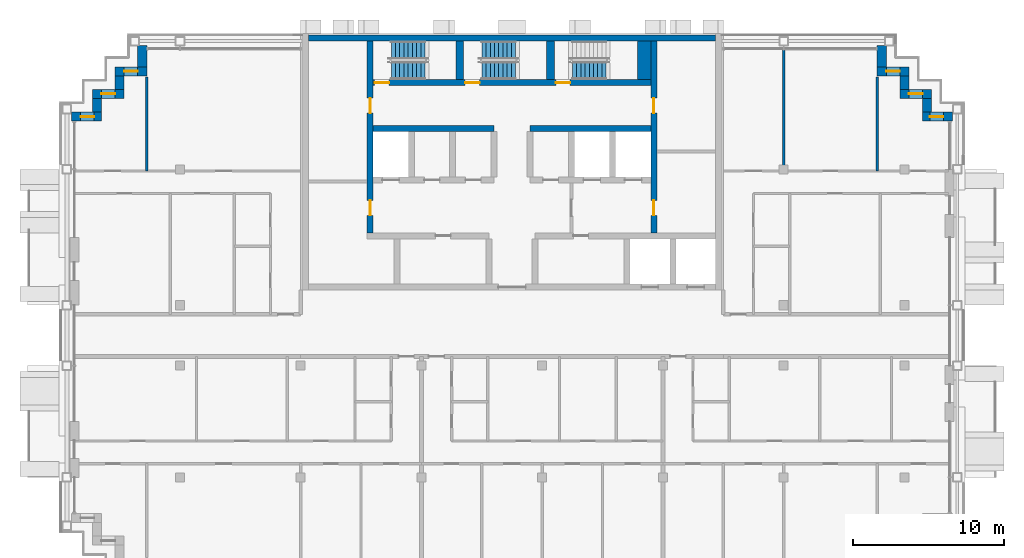
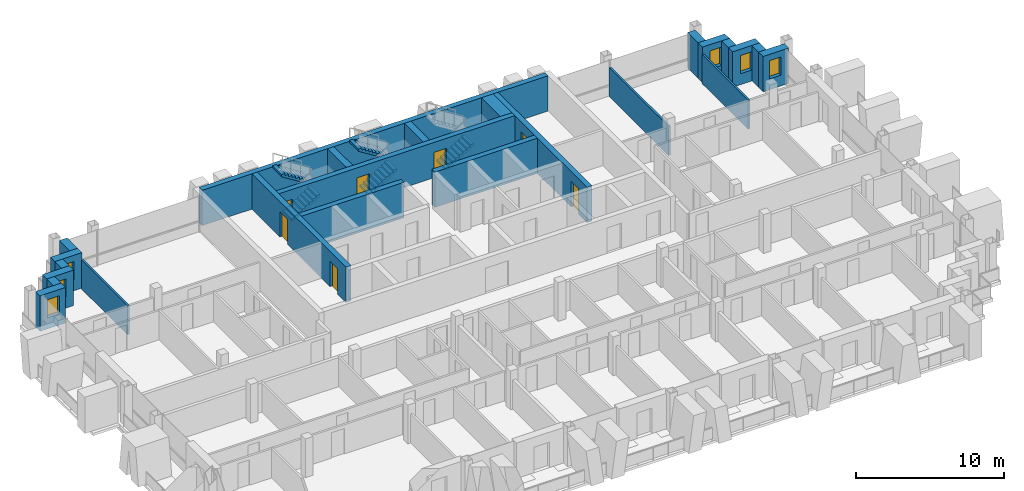
# One storey, part 11 of 16: 24 walls, 7 doors, 6 windows, 5 stair flights, 13 openings, 3 elements without a shape of their own.
"""IFC4 building model written with IfcOpenShell, lengths in metres."""

from ifc_helpers import new_model, si_unit, direction, frame, frame_2d, origin, place, context, subcontext, project, spatial, polyline, rectangle, outline, extrude, material, layer, layer_set, type_object, element, fill, aggregate, save


model = new_model("IFC4")

# Units and contexts
model_context = context("Model", 3, precision=1e-05, world=origin(), true_north=direction((0.0, 1.0)))
body_context = subcontext(model_context, "Body", "Model", "MODEL_VIEW")
ifc_project = project(units=[si_unit("LENGTHUNIT", "METRE"), si_unit("AREAUNIT", "SQUARE_METRE"), si_unit("VOLUMEUNIT", "CUBIC_METRE"), si_unit("PLANEANGLEUNIT", "RADIAN"), si_unit("MASSUNIT", "GRAM", prefix="KILO")], contexts=[model_context])

# Site, building, storey
site_placement = place(None, origin())
site = spatial("IfcSite", under=ifc_project, at=site_placement, CompositionType="ELEMENT")
building_placement = place(site_placement, origin())
building = spatial("IfcBuilding", under=site, at=building_placement, Name="Vidyagriha Tower", CompositionType="ELEMENT")
storey_placement = place(building_placement, frame((0.0, 0.0, 230.0)))
storey = spatial("IfcBuildingStorey", under=building, at=storey_placement, Name="L60", CompositionType="ELEMENT", Elevation=230.0)

# Wall, opening, window
ifc_material_1 = material(Name="Precast concrete C40/50 with brick facing", Category="concrete")
ifc_layer_1 = layer(ifc_material_1, 0.60009765625)
ifc_layer_set_1 = layer_set([ifc_layer_1], Name="Precast concrete C40/50 with brick facing")
wall_type_1 = type_object("IfcWallType", Name="Brick-faced precast wall 600", PredefinedType="STANDARD", material=ifc_layer_set_1)
wall_1_placement = place(storey_placement, frame((29.199951171875, 14.5, 0.0), z_axis=(0.0, 0.0, 1.0), x_axis=(-1.0, 0.0, 0.0)))
wall_1 = element("IfcWall", 1, at=wall_1_placement, inside=storey, type_object=wall_type_1, Name="Stepped corner wall L60 R01", PredefinedType="STANDARD", context=body_context, shape_type="SweptSolid", body=[
    extrude(rectangle(XDim=2.0, YDim=0.60009765625, at=frame_2d((1.0, 0.0))), origin(), (0.0, 0.0, 1.0), 2.919921875),
])
opening_1_placement = place(wall_1_placement, frame((0.610107421875, 0.0, 0.89990234375)))
opening_1 = element("IfcOpeningElement", 2, at=opening_1_placement, cuts=wall_1, Name="Opening WN1", PredefinedType="OPENING", context=body_context, shape_type="SweptSolid", body=[
    extrude(rectangle(XDim=0.89990234375, YDim=1.5, at=frame_2d((0.449951171875, 0.75))), frame((0.0, 0.31005859375, 0.0), z_axis=(0.0, -1.0, 0.0), x_axis=(1.0, 0.0, 0.0)), (0.0, 0.0, 1.0), 0.6201171875),
])
ifc_material_2 = material(Name="Aluminium and glass window", Category="aluminium")
window_type = type_object("IfcWindowType", Name="Reveal window 900x1500", PartitioningType="NOTDEFINED", PredefinedType="WINDOW", material=ifc_material_2)
window_1_placement = place(opening_1_placement, origin())
window_1 = element("IfcWindow", 3, at=window_1_placement, inside=storey, type_object=window_type, Name="Reveal window L60 R01", OverallHeight=1.5, OverallWidth=0.89990234375, PartitioningType="SINGLE_PANEL", PredefinedType="WINDOW", context=body_context, shape_type="SweptSolid", body=[
    extrude(rectangle(XDim=0.89990234375, YDim=1.5, at=frame_2d((0.449951171875, 0.75))), frame((0.0, 0.030029296875, 0.0), z_axis=(0.0, -1.0, 0.0), x_axis=(1.0, 0.0, 0.0)), (0.0, 0.0, 1.0), 0.06005859375),
])
fill(opening_1, window_1)

# Wall
wall_2_placement = place(storey_placement, frame((27.5, 14.800048828125, 0.0), z_axis=(0.0, 0.0, 1.0), x_axis=(0.0, 1.0, 0.0)))
element("IfcWall", 4, at=wall_2_placement, inside=storey, type_object=wall_type_1, Name="Stepped corner wall L60 R02", PredefinedType="STANDARD", context=body_context, shape_type="SweptSolid", body=[
    extrude(rectangle(XDim=0.89990234375, YDim=0.60009765625, at=frame_2d((0.449951171875, 0.0))), origin(), (0.0, 0.0, 1.0), 2.919921875),
])

# Wall, opening, window
wall_3_placement = place(storey_placement, frame((27.800048828125, 16.0, 0.0), z_axis=(0.0, 0.0, 1.0), x_axis=(-1.0, 0.0, 0.0)))
wall_3 = element("IfcWall", 5, at=wall_3_placement, inside=storey, type_object=wall_type_1, Name="Stepped corner wall L60 R03", PredefinedType="STANDARD", context=body_context, shape_type="SweptSolid", body=[
    extrude(rectangle(XDim=2.10009765625, YDim=0.60009765625, at=frame_2d((1.050048828125, 0.0))), origin(), (0.0, 0.0, 1.0), 2.919921875),
])
opening_2_placement = place(wall_3_placement, frame((0.60009765625, 0.0, 0.89990234375)))
opening_2 = element("IfcOpeningElement", 6, at=opening_2_placement, cuts=wall_3, Name="Opening WN1", PredefinedType="OPENING", context=body_context, shape_type="SweptSolid", body=[
    extrude(rectangle(XDim=0.89990234375, YDim=1.5, at=frame_2d((0.449951171875, 0.75))), frame((0.0, 0.31005859375, 0.0), z_axis=(0.0, -1.0, 0.0), x_axis=(1.0, 0.0, 0.0)), (0.0, 0.0, 1.0), 0.6201171875),
])
window_2_placement = place(opening_2_placement, origin())
window_2 = element("IfcWindow", 7, at=window_2_placement, inside=storey, type_object=window_type, Name="Reveal window L60 R03", OverallHeight=1.5, OverallWidth=0.89990234375, PartitioningType="SINGLE_PANEL", PredefinedType="WINDOW", context=body_context, shape_type="SweptSolid", body=[
    extrude(rectangle(XDim=0.89990234375, YDim=1.5, at=frame_2d((0.449951171875, 0.75))), frame((0.0, 0.030029296875, 0.0), z_axis=(0.0, -1.0, 0.0), x_axis=(1.0, 0.0, 0.0)), (0.0, 0.0, 1.0), 0.06005859375),
])
fill(opening_2, window_2)

# Wall
wall_4_placement = place(storey_placement, frame((26.0, 16.300048828125, 0.0), z_axis=(0.0, 0.0, 1.0), x_axis=(0.0, 1.0, 0.0)))
element("IfcWall", 8, at=wall_4_placement, inside=storey, type_object=wall_type_1, Name="Stepped corner wall L60 R04", PredefinedType="STANDARD", context=body_context, shape_type="SweptSolid", body=[
    extrude(rectangle(XDim=0.89990234375, YDim=0.60009765625, at=frame_2d((0.449951171875, 0.0))), origin(), (0.0, 0.0, 1.0), 2.919921875),
])

# Wall, opening, window
wall_5_placement = place(storey_placement, frame((26.300048828125, 17.5, 0.0), z_axis=(0.0, 0.0, 1.0), x_axis=(-1.0, 0.0, 0.0)))
wall_5 = element("IfcWall", 9, at=wall_5_placement, inside=storey, type_object=wall_type_1, Name="Stepped corner wall L60 R05", PredefinedType="STANDARD", context=body_context, shape_type="SweptSolid", body=[
    extrude(rectangle(XDim=2.10009765625, YDim=0.60009765625, at=frame_2d((1.050048828125, 0.0))), origin(), (0.0, 0.0, 1.0), 2.919921875),
])
opening_3_placement = place(wall_5_placement, frame((0.60009765625, 0.0, 0.89990234375)))
opening_3 = element("IfcOpeningElement", 10, at=opening_3_placement, cuts=wall_5, Name="Opening WN1", PredefinedType="OPENING", context=body_context, shape_type="SweptSolid", body=[
    extrude(rectangle(XDim=0.89990234375, YDim=1.5, at=frame_2d((0.449951171875, 0.75))), frame((0.0, 0.31005859375, 0.0), z_axis=(0.0, -1.0, 0.0), x_axis=(1.0, 0.0, 0.0)), (0.0, 0.0, 1.0), 0.6201171875),
])
window_3_placement = place(opening_3_placement, origin())
window_3 = element("IfcWindow", 11, at=window_3_placement, inside=storey, type_object=window_type, Name="Reveal window L60 R05", OverallHeight=1.5, OverallWidth=0.89990234375, PartitioningType="SINGLE_PANEL", PredefinedType="WINDOW", context=body_context, shape_type="SweptSolid", body=[
    extrude(rectangle(XDim=0.89990234375, YDim=1.5, at=frame_2d((0.449951171875, 0.75))), frame((0.0, 0.030029296875, 0.0), z_axis=(0.0, -1.0, 0.0), x_axis=(1.0, 0.0, 0.0)), (0.0, 0.0, 1.0), 0.06005859375),
])
fill(opening_3, window_3)

# Walls
for number, where, z_axis, x_axis, name in (
    (12, (24.5, 17.800048828125, 0.0), (0.0, 0.0, 1.0), (0.0, 1.0, 0.0), "Stepped corner wall L60 R06"),
    (13, (-24.5, 19.199951171875, 0.0), (0.0, 0.0, 1.0), (0.0, -1.0, 0.0), "Stepped corner wall L60 R10"),
):
    element("IfcWall", number, at=place(storey_placement, frame(where, z_axis=z_axis, x_axis=x_axis)), inside=storey, type_object=wall_type_1, Name=name, PredefinedType="STANDARD", context=body_context, shape_type="SweptSolid", body=[
        extrude(rectangle(XDim=1.39990234375, YDim=0.60009765625, at=frame_2d((0.699951171875, 0.0))), origin(), (0.0, 0.0, 1.0), 2.919921875),
    ])

# Wall, opening, window
wall_6_placement = place(storey_placement, frame((-24.199951171875, 17.5, 0.0), z_axis=(0.0, 0.0, 1.0), x_axis=(-1.0, 0.0, 0.0)))
wall_6 = element("IfcWall", 14, at=wall_6_placement, inside=storey, type_object=wall_type_1, Name="Stepped corner wall L60 R11", PredefinedType="STANDARD", context=body_context, shape_type="SweptSolid", body=[
    extrude(rectangle(XDim=2.10009765625, YDim=0.60009765625, at=frame_2d((1.050048828125, 0.0))), origin(), (0.0, 0.0, 1.0), 2.919921875),
])
opening_4_placement = place(wall_6_placement, frame((0.60009765625, 0.0, 0.89990234375)))
opening_4 = element("IfcOpeningElement", 15, at=opening_4_placement, cuts=wall_6, Name="Opening WN1", PredefinedType="OPENING", context=body_context, shape_type="SweptSolid", body=[
    extrude(rectangle(XDim=0.89990234375, YDim=1.5, at=frame_2d((0.449951171875, 0.75))), frame((0.0, 0.31005859375, 0.0), z_axis=(0.0, -1.0, 0.0), x_axis=(1.0, 0.0, 0.0)), (0.0, 0.0, 1.0), 0.6201171875),
])
window_4_placement = place(opening_4_placement, origin())
window_4 = element("IfcWindow", 16, at=window_4_placement, inside=storey, type_object=window_type, Name="Reveal window L60 R11", OverallHeight=1.5, OverallWidth=0.89990234375, PartitioningType="SINGLE_PANEL", PredefinedType="WINDOW", context=body_context, shape_type="SweptSolid", body=[
    extrude(rectangle(XDim=0.89990234375, YDim=1.5, at=frame_2d((0.449951171875, 0.75))), frame((0.0, 0.030029296875, 0.0), z_axis=(0.0, -1.0, 0.0), x_axis=(1.0, 0.0, 0.0)), (0.0, 0.0, 1.0), 0.06005859375),
])
fill(opening_4, window_4)

# Wall
wall_7_placement = place(storey_placement, frame((-26.0, 17.199951171875, 0.0), z_axis=(0.0, 0.0, 1.0), x_axis=(0.0, -1.0, 0.0)))
element("IfcWall", 17, at=wall_7_placement, inside=storey, type_object=wall_type_1, Name="Stepped corner wall L60 R12", PredefinedType="STANDARD", context=body_context, shape_type="SweptSolid", body=[
    extrude(rectangle(XDim=0.89990234375, YDim=0.60009765625, at=frame_2d((0.449951171875, 0.0))), origin(), (0.0, 0.0, 1.0), 2.919921875),
])

# Wall, opening, window
wall_8_placement = place(storey_placement, frame((-25.699951171875, 16.0, 0.0), z_axis=(0.0, 0.0, 1.0), x_axis=(-1.0, 0.0, 0.0)))
wall_8 = element("IfcWall", 18, at=wall_8_placement, inside=storey, type_object=wall_type_1, Name="Stepped corner wall L60 R13", PredefinedType="STANDARD", context=body_context, shape_type="SweptSolid", body=[
    extrude(rectangle(XDim=2.10009765625, YDim=0.60009765625, at=frame_2d((1.050048828125, 0.0))), origin(), (0.0, 0.0, 1.0), 2.919921875),
])
opening_5_placement = place(wall_8_placement, frame((0.60009765625, 0.0, 0.89990234375)))
opening_5 = element("IfcOpeningElement", 19, at=opening_5_placement, cuts=wall_8, Name="Opening WN1", PredefinedType="OPENING", context=body_context, shape_type="SweptSolid", body=[
    extrude(rectangle(XDim=0.89990234375, YDim=1.5, at=frame_2d((0.449951171875, 0.75))), frame((0.0, 0.31005859375, 0.0), z_axis=(0.0, -1.0, 0.0), x_axis=(1.0, 0.0, 0.0)), (0.0, 0.0, 1.0), 0.6201171875),
])
window_5_placement = place(opening_5_placement, origin())
window_5 = element("IfcWindow", 20, at=window_5_placement, inside=storey, type_object=window_type, Name="Reveal window L60 R13", OverallHeight=1.5, OverallWidth=0.89990234375, PartitioningType="SINGLE_PANEL", PredefinedType="WINDOW", context=body_context, shape_type="SweptSolid", body=[
    extrude(rectangle(XDim=0.89990234375, YDim=1.5, at=frame_2d((0.449951171875, 0.75))), frame((0.0, 0.030029296875, 0.0), z_axis=(0.0, -1.0, 0.0), x_axis=(1.0, 0.0, 0.0)), (0.0, 0.0, 1.0), 0.06005859375),
])
fill(opening_5, window_5)

# Wall
wall_9_placement = place(storey_placement, frame((-27.5, 15.699951171875, 0.0), z_axis=(0.0, 0.0, 1.0), x_axis=(0.0, -1.0, 0.0)))
element("IfcWall", 21, at=wall_9_placement, inside=storey, type_object=wall_type_1, Name="Stepped corner wall L60 R14", PredefinedType="STANDARD", context=body_context, shape_type="SweptSolid", body=[
    extrude(rectangle(XDim=0.89990234375, YDim=0.60009765625, at=frame_2d((0.449951171875, 0.0))), origin(), (0.0, 0.0, 1.0), 2.919921875),
])

# Wall, opening, window
wall_10_placement = place(storey_placement, frame((-27.199951171875, 14.5, 0.0), z_axis=(0.0, 0.0, 1.0), x_axis=(-1.0, 0.0, 0.0)))
wall_10 = element("IfcWall", 22, at=wall_10_placement, inside=storey, type_object=wall_type_1, Name="Stepped corner wall L60 R15", PredefinedType="STANDARD", context=body_context, shape_type="SweptSolid", body=[
    extrude(rectangle(XDim=2.0, YDim=0.60009765625, at=frame_2d((1.0, 0.0))), origin(), (0.0, 0.0, 1.0), 2.919921875),
])
opening_6_placement = place(wall_10_placement, frame((0.489990234375, 0.0, 0.89990234375)))
opening_6 = element("IfcOpeningElement", 23, at=opening_6_placement, cuts=wall_10, Name="Opening WN1", PredefinedType="OPENING", context=body_context, shape_type="SweptSolid", body=[
    extrude(rectangle(XDim=0.89990234375, YDim=1.5, at=frame_2d((0.449951171875, 0.75))), frame((0.0, 0.31005859375, 0.0), z_axis=(0.0, -1.0, 0.0), x_axis=(1.0, 0.0, 0.0)), (0.0, 0.0, 1.0), 0.6201171875),
])
window_6_placement = place(opening_6_placement, origin())
window_6 = element("IfcWindow", 24, at=window_6_placement, inside=storey, type_object=window_type, Name="Reveal window L60 R15", OverallHeight=1.5, OverallWidth=0.89990234375, PartitioningType="SINGLE_PANEL", PredefinedType="WINDOW", context=body_context, shape_type="SweptSolid", body=[
    extrude(rectangle(XDim=0.89990234375, YDim=1.5, at=frame_2d((0.449951171875, 0.75))), frame((0.0, 0.030029296875, 0.0), z_axis=(0.0, -1.0, 0.0), x_axis=(1.0, 0.0, 0.0)), (0.0, 0.0, 1.0), 0.06005859375),
])
fill(opening_6, window_6)

# Wall
ifc_material_3 = material(Name="Concrete C60/75", Category="concrete")
ifc_layer_2 = layer(ifc_material_3, 0.39990234375)
ifc_layer_set_2 = layer_set([ifc_layer_2], Name="Concrete C60/75")
wall_type_2 = type_object("IfcWallType", Name="Core shear wall 400 mm", PredefinedType="SHEAR", material=ifc_layer_set_2)
wall_11_placement = place(storey_placement, frame((-13.5, 19.699951171875, 0.0)))
element("IfcWall", 25, at=wall_11_placement, inside=storey, type_object=wall_type_2, Name="Core north wall", PredefinedType="SHEAR", context=body_context, shape_type="SweptSolid", body=[
    extrude(rectangle(XDim=27.0, YDim=0.39990234375, at=frame_2d((13.5, 0.0))), origin(), (0.0, 0.0, 1.0), 2.919921875),
])

# Wall, openings, doors
wall_12_placement = place(storey_placement, frame((-9.39990234375, 6.800048828125, 0.0), z_axis=(0.0, 0.0, 1.0), x_axis=(0.0, 1.0, 0.0)))
wall_12 = element("IfcWall", 26, at=wall_12_placement, inside=storey, type_object=wall_type_2, Name="Core west spine wall", PredefinedType="SHEAR", context=body_context, shape_type="SweptSolid", body=[
    extrude(rectangle(XDim=12.699951171875, YDim=0.39990234375, at=frame_2d((6.35009765625, 0.0))), origin(), (0.0, 0.0, 1.0), 2.919921875),
])
opening_7_placement = place(wall_12_placement, frame((1.14990234375, 0.0, 0.0)))
opening_7 = element("IfcOpeningElement", 27, at=opening_7_placement, cuts=wall_12, Name="Opening D60-11", PredefinedType="OPENING", context=body_context, shape_type="SweptSolid", body=[
    extrude(rectangle(XDim=1.0, YDim=2.10009765625, at=frame_2d((0.5, 1.050048828125))), frame((0.0, 0.2099609375, 0.0), z_axis=(0.0, -1.0, 0.0), x_axis=(1.0, 0.0, 0.0)), (0.0, 0.0, 1.0), 0.419921875),
])
opening_8_placement = place(wall_12_placement, frame((7.925048828125, 0.0, 0.0)))
opening_8 = element("IfcOpeningElement", 28, at=opening_8_placement, cuts=wall_12, Name="Opening D60-12", PredefinedType="OPENING", context=body_context, shape_type="SweptSolid", body=[
    extrude(rectangle(XDim=1.0, YDim=2.10009765625, at=frame_2d((0.5, 1.050048828125))), frame((0.0, 0.2099609375, 0.0), z_axis=(0.0, -1.0, 0.0), x_axis=(1.0, 0.0, 0.0)), (0.0, 0.0, 1.0), 0.419921875),
])
ifc_material_4 = material(Name="Hollow metal door leaf")
door_type_1 = type_object("IfcDoorType", Name="Core room door 1000 x 2100 mm EI 60", OperationType="NOTDEFINED", PredefinedType="DOOR", material=ifc_material_4)
door_1_placement = place(opening_7_placement, frame((1.0, 0.0, 0.0), z_axis=(0.0, 0.0, 1.0), x_axis=(-1.0, 0.0, 0.0)))
door_1 = element("IfcDoor", 29, at=door_1_placement, inside=storey, type_object=door_type_1, Name="Door Storage Room 60.W1", OperationType="SINGLE_SWING_RIGHT", OverallHeight=2.10009765625, OverallWidth=1.0, PredefinedType="DOOR", context=body_context, shape_type="SweptSolid", body=[
    extrude(rectangle(XDim=1.0, YDim=2.10009765625, at=frame_2d((0.5, 1.050048828125))), frame((0.0, 0.02490234375, 0.0), z_axis=(0.0, -1.0, 0.0), x_axis=(1.0, 0.0, 0.0)), (0.0, 0.0, 1.0), 0.050048828125),
])
fill(opening_7, door_1)
door_2_placement = place(opening_8_placement, frame((1.0, 0.0, 0.0), z_axis=(0.0, 0.0, 1.0), x_axis=(-1.0, 0.0, 0.0)))
door_2 = element("IfcDoor", 30, at=door_2_placement, inside=storey, type_object=door_type_1, Name="Door Cleaners Store 60.W2", OperationType="SINGLE_SWING_LEFT", OverallHeight=2.10009765625, OverallWidth=1.0, PredefinedType="DOOR", context=body_context, shape_type="SweptSolid", body=[
    extrude(rectangle(XDim=1.0, YDim=2.10009765625, at=frame_2d((0.5, 1.050048828125))), frame((0.0, 0.02490234375, 0.0), z_axis=(0.0, -1.0, 0.0), x_axis=(1.0, 0.0, 0.0)), (0.0, 0.0, 1.0), 0.050048828125),
])
fill(opening_8, door_2)

wall_13_placement = place(storey_placement, frame((9.39990234375, 6.800048828125, 0.0), z_axis=(0.0, 0.0, 1.0), x_axis=(0.0, 1.0, 0.0)))
wall_13 = element("IfcWall", 31, at=wall_13_placement, inside=storey, type_object=wall_type_2, Name="Core east spine wall", PredefinedType="SHEAR", context=body_context, shape_type="SweptSolid", body=[
    extrude(rectangle(XDim=12.699951171875, YDim=0.39990234375, at=frame_2d((6.35009765625, 0.0))), origin(), (0.0, 0.0, 1.0), 2.919921875),
])
opening_9_placement = place(wall_13_placement, frame((1.14990234375, 0.0, 0.0)))
opening_9 = element("IfcOpeningElement", 32, at=opening_9_placement, cuts=wall_13, Name="Opening D60-13", PredefinedType="OPENING", context=body_context, shape_type="SweptSolid", body=[
    extrude(rectangle(XDim=1.0, YDim=2.10009765625, at=frame_2d((0.5, 1.050048828125))), frame((0.0, 0.2099609375, 0.0), z_axis=(0.0, -1.0, 0.0), x_axis=(1.0, 0.0, 0.0)), (0.0, 0.0, 1.0), 0.419921875),
])
opening_10_placement = place(wall_13_placement, frame((7.925048828125, 0.0, 0.0)))
opening_10 = element("IfcOpeningElement", 33, at=opening_10_placement, cuts=wall_13, Name="Opening D60-14", PredefinedType="OPENING", context=body_context, shape_type="SweptSolid", body=[
    extrude(rectangle(XDim=1.0, YDim=2.10009765625, at=frame_2d((0.5, 1.050048828125))), frame((0.0, 0.2099609375, 0.0), z_axis=(0.0, -1.0, 0.0), x_axis=(1.0, 0.0, 0.0)), (0.0, 0.0, 1.0), 0.419921875),
])
door_3_placement = place(opening_9_placement, origin())
door_3 = element("IfcDoor", 34, at=door_3_placement, inside=storey, type_object=door_type_1, Name="Door Communications Room 60.E1", OperationType="SINGLE_SWING_RIGHT", OverallHeight=2.10009765625, OverallWidth=1.0, PredefinedType="DOOR", context=body_context, shape_type="SweptSolid", body=[
    extrude(rectangle(XDim=1.0, YDim=2.10009765625, at=frame_2d((0.5, 1.050048828125))), frame((0.0, 0.02490234375, 0.0), z_axis=(0.0, -1.0, 0.0), x_axis=(1.0, 0.0, 0.0)), (0.0, 0.0, 1.0), 0.050048828125),
])
fill(opening_9, door_3)
door_4_placement = place(opening_10_placement, origin())
door_4 = element("IfcDoor", 35, at=door_4_placement, inside=storey, type_object=door_type_1, Name="Door Riser Room 60.E2", OperationType="SINGLE_SWING_LEFT", OverallHeight=2.10009765625, OverallWidth=1.0, PredefinedType="DOOR", context=body_context, shape_type="SweptSolid", body=[
    extrude(rectangle(XDim=1.0, YDim=2.10009765625, at=frame_2d((0.5, 1.050048828125))), frame((0.0, 0.02490234375, 0.0), z_axis=(0.0, -1.0, 0.0), x_axis=(1.0, 0.0, 0.0)), (0.0, 0.0, 1.0), 0.050048828125),
])
fill(opening_10, door_4)

# Walls
for number, where, name in (
    (36, (-9.199951171875, 13.699951171875, 0.0), "Core row N rear wall"),
    (37, (1.199951171875, 13.699951171875, 0.0), "Core row N rear wall"),
):
    element("IfcWall", number, at=place(storey_placement, frame(where)), inside=storey, type_object=wall_type_2, Name=name, PredefinedType="SHEAR", context=body_context, shape_type="SweptSolid", body=[
        extrude(rectangle(XDim=8.0, YDim=0.39990234375, at=frame_2d((4.0, 0.0))), origin(), (0.0, 0.0, 1.0), 2.919921875),
    ])

# Wall, openings, doors
wall_14_placement = place(storey_placement, frame((-9.199951171875, 16.75, 0.0)))
wall_14 = element("IfcWall", 38, at=wall_14_placement, inside=storey, type_object=wall_type_2, Name="Stair front wall", PredefinedType="SHEAR", context=body_context, shape_type="SweptSolid", body=[
    extrude(rectangle(XDim=18.39990234375, YDim=0.39990234375, at=frame_2d((9.199951171875, 0.0))), origin(), (0.0, 0.0, 1.0), 2.919921875),
])
opening_11_placement = place(wall_14_placement, frame((0.10009765625, 0.0, 0.0)))
opening_11 = element("IfcOpeningElement", 39, at=opening_11_placement, cuts=wall_14, Name="Opening D60-08", PredefinedType="OPENING", context=body_context, shape_type="SweptSolid", body=[
    extrude(rectangle(XDim=0.949951171875, YDim=2.10009765625, at=frame_2d((0.47509765625, 1.050048828125))), frame((0.0, 0.2099609375, 0.0), z_axis=(0.0, -1.0, 0.0), x_axis=(1.0, 0.0, 0.0)), (0.0, 0.0, 1.0), 0.419921875),
])
opening_12_placement = place(wall_14_placement, frame((6.10009765625, 0.0, 0.0)))
opening_12 = element("IfcOpeningElement", 40, at=opening_12_placement, cuts=wall_14, Name="Opening D60-09", PredefinedType="OPENING", context=body_context, shape_type="SweptSolid", body=[
    extrude(rectangle(XDim=0.949951171875, YDim=2.10009765625, at=frame_2d((0.47509765625, 1.050048828125))), frame((0.0, 0.2099609375, 0.0), z_axis=(0.0, -1.0, 0.0), x_axis=(1.0, 0.0, 0.0)), (0.0, 0.0, 1.0), 0.419921875),
])
opening_13_placement = place(wall_14_placement, frame((12.10009765625, 0.0, 0.0)))
opening_13 = element("IfcOpeningElement", 41, at=opening_13_placement, cuts=wall_14, Name="Opening D60-10", PredefinedType="OPENING", context=body_context, shape_type="SweptSolid", body=[
    extrude(rectangle(XDim=0.949951171875, YDim=2.10009765625, at=frame_2d((0.47509765625, 1.050048828125))), frame((0.0, 0.2099609375, 0.0), z_axis=(0.0, -1.0, 0.0), x_axis=(1.0, 0.0, 0.0)), (0.0, 0.0, 1.0), 0.419921875),
])
ifc_material_5 = material(Name="Hollow metal door leaf")
door_type_2 = type_object("IfcDoorType", Name="Exit stair door 950 x 2100 mm EI 90", OperationType="NOTDEFINED", PredefinedType="DOOR", material=ifc_material_5)
door_5_placement = place(opening_11_placement, origin())
door_5 = element("IfcDoor", 42, at=door_5_placement, inside=storey, type_object=door_type_2, Name="Stair door ST1 L60", OperationType="SINGLE_SWING_LEFT", OverallHeight=2.10009765625, OverallWidth=0.949951171875, PredefinedType="DOOR", context=body_context, shape_type="SweptSolid", body=[
    extrude(rectangle(XDim=0.949951171875, YDim=2.10009765625, at=frame_2d((0.47509765625, 1.050048828125))), frame((0.0, 0.02490234375, 0.0), z_axis=(0.0, -1.0, 0.0), x_axis=(1.0, 0.0, 0.0)), (0.0, 0.0, 1.0), 0.050048828125),
])
fill(opening_11, door_5)
door_6_placement = place(opening_12_placement, origin())
door_6 = element("IfcDoor", 43, at=door_6_placement, inside=storey, type_object=door_type_2, Name="Stair door ST2 L60", OperationType="SINGLE_SWING_LEFT", OverallHeight=2.10009765625, OverallWidth=0.949951171875, PredefinedType="DOOR", context=body_context, shape_type="SweptSolid", body=[
    extrude(rectangle(XDim=0.949951171875, YDim=2.10009765625, at=frame_2d((0.47509765625, 1.050048828125))), frame((0.0, 0.02490234375, 0.0), z_axis=(0.0, -1.0, 0.0), x_axis=(1.0, 0.0, 0.0)), (0.0, 0.0, 1.0), 0.050048828125),
])
fill(opening_12, door_6)
door_7_placement = place(opening_13_placement, origin())
door_7 = element("IfcDoor", 44, at=door_7_placement, inside=storey, type_object=door_type_2, Name="Stair door ST3 L60", OperationType="SINGLE_SWING_LEFT", OverallHeight=2.10009765625, OverallWidth=0.949951171875, PredefinedType="DOOR", context=body_context, shape_type="SweptSolid", body=[
    extrude(rectangle(XDim=0.949951171875, YDim=2.10009765625, at=frame_2d((0.47509765625, 1.050048828125))), frame((0.0, 0.02490234375, 0.0), z_axis=(0.0, -1.0, 0.0), x_axis=(1.0, 0.0, 0.0)), (0.0, 0.0, 1.0), 0.050048828125),
])
fill(opening_13, door_7)

# Walls
ifc_material_6 = material(Name="Concrete C60/75", Category="concrete")
ifc_layer_3 = layer(ifc_material_6, 0.5)
ifc_layer_set_3 = layer_set([ifc_layer_3], Name="Concrete C60/75")
wall_type_3 = type_object("IfcWallType", Name="Core shear wall 500 mm", PredefinedType="SHEAR", material=ifc_layer_set_3)
for number, where, z_axis, x_axis, name in (
    (45, (-3.449951171875, 16.949951171875, 0.0), (0.0, 0.0, 1.0), (0.0, 1.0, 0.0), "Stair partition wall 1"),
    (46, (2.550048828125, 16.949951171875, 0.0), (0.0, 0.0, 1.0), (0.0, 1.0, 0.0), "Stair partition wall 2"),
):
    element("IfcWall", number, at=place(storey_placement, frame(where, z_axis=z_axis, x_axis=x_axis)), inside=storey, type_object=wall_type_3, Name=name, PredefinedType="SHEAR", context=body_context, shape_type="SweptSolid", body=[
        extrude(rectangle(XDim=2.550048828125, YDim=0.5, at=frame_2d((1.27490234375, 0.0))), origin(), (0.0, 0.0, 1.0), 2.919921875),
    ])
ifc_material_7 = material(Name="Concrete C60/75", Category="concrete")
ifc_layer_4 = layer(ifc_material_7, 0.89990234375)
ifc_layer_set_4 = layer_set([ifc_layer_4], Name="Concrete C60/75")
wall_type_4 = type_object("IfcWallType", Name="Core shear wall 900 mm", PredefinedType="SHEAR", material=ifc_layer_set_4)
wall_15_placement = place(storey_placement, frame((8.75, 16.949951171875, 0.0), z_axis=(0.0, 0.0, 1.0), x_axis=(0.0, 1.0, 0.0)))
element("IfcWall", 47, at=wall_15_placement, inside=storey, type_object=wall_type_4, Name="Stair end wall", PredefinedType="SHEAR", context=body_context, shape_type="SweptSolid", body=[
    extrude(rectangle(XDim=2.550048828125, YDim=0.89990234375, at=frame_2d((1.27490234375, 0.0))), origin(), (0.0, 0.0, 1.0), 2.919921875),
])
ifc_material_8 = material(Name="Gypsum board partition")
ifc_layer_5 = layer(ifc_material_8, 0.14990234375)
ifc_layer_set_5 = layer_set([ifc_layer_5], Name="Gypsum board partition")
wall_type_5 = type_object("IfcWallType", Name="Gypsum board partition 150", PredefinedType="PARTITIONING", material=ifc_layer_set_5)
wall_16_placement = place(storey_placement, frame((-24.199951171875, 17.1201171875, 0.0), z_axis=(0.0, 0.0, 1.0), x_axis=(0.0, -1.0, 0.0)))
element("IfcWall", 48, at=wall_16_placement, inside=storey, type_object=wall_type_5, Name="Wall all-L60-w077", PredefinedType="PARTITIONING", context=body_context, shape_type="SweptSolid", body=[
    extrude(rectangle(XDim=6.22021484375, YDim=0.14990234375, at=frame_2d((3.110107421875, 0.0))), origin(), (0.0, 0.0, 1.0), 2.39990234375),
])
wall_17_placement = place(storey_placement, frame((18.0, 18.9208984375, 0.0), z_axis=(0.0, 0.0, 1.0), x_axis=(0.0, -1.0, 0.0)))
element("IfcWall", 49, at=wall_17_placement, inside=storey, type_object=wall_type_5, Name="Wall all-L60-w093", PredefinedType="PARTITIONING", context=body_context, shape_type="SweptSolid", body=[
    extrude(rectangle(XDim=8.02099609375, YDim=0.14990234375, at=frame_2d((4.010498046875, 0.0))), origin(), (0.0, 0.0, 1.0), 2.39990234375),
])
wall_18_placement = place(storey_placement, frame((24.199951171875, 17.1201171875, 0.0), z_axis=(0.0, 0.0, 1.0), x_axis=(0.0, -1.0, 0.0)))
element("IfcWall", 50, at=wall_18_placement, inside=storey, type_object=wall_type_5, Name="Wall all-L60-w094", PredefinedType="PARTITIONING", context=body_context, shape_type="SweptSolid", body=[
    extrude(rectangle(XDim=6.22021484375, YDim=0.14990234375, at=frame_2d((3.110107421875, 0.0))), origin(), (0.0, 0.0, 1.0), 2.39990234375),
])

# Stair, stair flights
ifc_material_9 = material(Name="Concrete C40/50", Category="concrete")
stair_type = type_object("IfcStairType", Name="Exit stair, half-turn, precast flights", PredefinedType="HALF_TURN_STAIR", material=ifc_material_9)
stair_1_placement = place(storey_placement, origin())
stair_1 = element("IfcStair", 51, at=stair_1_placement, inside=storey, type_object=stair_type, Name="L60 Exit Stair ST1", PredefinedType="HALF_TURN_STAIR")
ifc_material_10 = material(Name="Precast concrete C40/50", Category="concrete")
stair_flight_type = type_object("IfcStairFlightType", Name="Exit stair flight 1200 mm, precast", PredefinedType="STRAIGHT", material=ifc_material_10)
stair_flight_1_placement = place(storey_placement, frame((-8.0, 17.550048828125, 0.0)))
stair_flight_1 = element("IfcStairFlight", 52, at=stair_flight_1_placement, type_object=stair_flight_type, Name="ST1 flight 1", NumberOfRisers=9, NumberOfTreads=8, PredefinedType="STRAIGHT", RiserHeight=0.177777778, TreadLength=0.28, context=body_context, shape_type="SweptSolid", body=[
    extrude(outline(polyline([(0.0, 0.0), (0.0, 0.177734375), (0.280029296875, 0.177734375), (0.280029296875, 0.35546875), (0.56005859375, 0.35546875), (0.56005859375, 0.533447265625), (0.840087890625, 0.533447265625), (0.840087890625, 0.711181640625), (1.1201171875, 0.711181640625), (1.1201171875, 0.888916015625), (1.39990234375, 0.888916015625), (1.39990234375, 1.066650390625), (1.679931640625, 1.066650390625), (1.679931640625, 1.244384765625), (1.9599609375, 1.244384765625), (1.9599609375, 1.422119140625), (2.239990234375, 1.422119140625), (2.239990234375, 1.60009765625), (2.239990234375, 1.24462890625), (0.27978515625, 0.0), (0.0, 0.0)])), frame((0.0, 0.60009765625, 0.0), z_axis=(0.0, -1.0, 0.0), x_axis=(1.0, 0.0, 0.0)), (0.0, 0.0, 1.0), 1.199951171875),
])
stair_flight_2_placement = place(storey_placement, frame((-5.760009765625, 18.89990234375, 1.60009765625), z_axis=(0.0, 0.0, 1.0), x_axis=(-1.0, 0.0, 0.0)))
stair_flight_2 = element("IfcStairFlight", 53, at=stair_flight_2_placement, type_object=stair_flight_type, Name="ST1 flight 2", NumberOfRisers=9, NumberOfTreads=8, PredefinedType="STRAIGHT", RiserHeight=0.177777778, TreadLength=0.28, context=body_context, shape_type="SweptSolid", body=[
    extrude(outline(polyline([(0.0, 0.0), (0.0, 0.177734375), (0.280029296875, 0.177734375), (0.280029296875, 0.35546875), (0.56005859375, 0.35546875), (0.56005859375, 0.533447265625), (0.840087890625, 0.533447265625), (0.840087890625, 0.711181640625), (1.1201171875, 0.711181640625), (1.1201171875, 0.888916015625), (1.39990234375, 0.888916015625), (1.39990234375, 1.066650390625), (1.679931640625, 1.066650390625), (1.679931640625, 1.244384765625), (1.9599609375, 1.244384765625), (1.9599609375, 1.422119140625), (2.239990234375, 1.422119140625), (2.239990234375, 1.60009765625), (2.239990234375, 1.24462890625), (0.27978515625, 0.0), (0.0, 0.0)])), frame((0.0, 0.60009765625, 0.0), z_axis=(0.0, -1.0, 0.0), x_axis=(1.0, 0.0, 0.0)), (0.0, 0.0, 1.0), 1.199951171875),
])
aggregate(stair_1, [stair_flight_1, stair_flight_2])

stair_2_placement = place(storey_placement, origin())
stair_2 = element("IfcStair", 54, at=stair_2_placement, inside=storey, type_object=stair_type, Name="L60 Exit Stair ST2", PredefinedType="HALF_TURN_STAIR")
stair_flight_3_placement = place(storey_placement, frame((-2.0, 17.550048828125, 0.0)))
stair_flight_3 = element("IfcStairFlight", 55, at=stair_flight_3_placement, type_object=stair_flight_type, Name="ST2 flight 1", NumberOfRisers=9, NumberOfTreads=8, PredefinedType="STRAIGHT", RiserHeight=0.177777778, TreadLength=0.28, context=body_context, shape_type="SweptSolid", body=[
    extrude(outline(polyline([(0.0, 0.0), (0.0, 0.177734375), (0.280029296875, 0.177734375), (0.280029296875, 0.35546875), (0.56005859375, 0.35546875), (0.56005859375, 0.533447265625), (0.840087890625, 0.533447265625), (0.840087890625, 0.711181640625), (1.1201171875, 0.711181640625), (1.1201171875, 0.888916015625), (1.39990234375, 0.888916015625), (1.39990234375, 1.066650390625), (1.679931640625, 1.066650390625), (1.679931640625, 1.244384765625), (1.9599609375, 1.244384765625), (1.9599609375, 1.422119140625), (2.239990234375, 1.422119140625), (2.239990234375, 1.60009765625), (2.239990234375, 1.24462890625), (0.27978515625, 0.0), (0.0, 0.0)])), frame((0.0, 0.60009765625, 0.0), z_axis=(0.0, -1.0, 0.0), x_axis=(1.0, 0.0, 0.0)), (0.0, 0.0, 1.0), 1.199951171875),
])
stair_flight_4_placement = place(storey_placement, frame((0.239990234375, 18.89990234375, 1.60009765625), z_axis=(0.0, 0.0, 1.0), x_axis=(-1.0, 0.0, 0.0)))
stair_flight_4 = element("IfcStairFlight", 56, at=stair_flight_4_placement, type_object=stair_flight_type, Name="ST2 flight 2", NumberOfRisers=9, NumberOfTreads=8, PredefinedType="STRAIGHT", RiserHeight=0.177777778, TreadLength=0.28, context=body_context, shape_type="SweptSolid", body=[
    extrude(outline(polyline([(0.0, 0.0), (0.0, 0.177734375), (0.280029296875, 0.177734375), (0.280029296875, 0.35546875), (0.56005859375, 0.35546875), (0.56005859375, 0.533447265625), (0.840087890625, 0.533447265625), (0.840087890625, 0.711181640625), (1.1201171875, 0.711181640625), (1.1201171875, 0.888916015625), (1.39990234375, 0.888916015625), (1.39990234375, 1.066650390625), (1.679931640625, 1.066650390625), (1.679931640625, 1.244384765625), (1.9599609375, 1.244384765625), (1.9599609375, 1.422119140625), (2.239990234375, 1.422119140625), (2.239990234375, 1.60009765625), (2.239990234375, 1.24462890625), (0.27978515625, 0.0), (0.0, 0.0)])), frame((0.0, 0.60009765625, 0.0), z_axis=(0.0, -1.0, 0.0), x_axis=(1.0, 0.0, 0.0)), (0.0, 0.0, 1.0), 1.199951171875),
])
aggregate(stair_2, [stair_flight_3, stair_flight_4])

# Stair, stair flight
stair_3_placement = place(storey_placement, origin())
stair_3 = element("IfcStair", 57, at=stair_3_placement, inside=storey, type_object=stair_type, Name="L60 Exit Stair ST3", PredefinedType="HALF_TURN_STAIR")
stair_flight_5_placement = place(storey_placement, frame((4.0, 17.550048828125, 0.0)))
stair_flight_5 = element("IfcStairFlight", 58, at=stair_flight_5_placement, type_object=stair_flight_type, Name="ST3 flight 1", NumberOfRisers=9, NumberOfTreads=8, PredefinedType="STRAIGHT", RiserHeight=0.177777778, TreadLength=0.28, context=body_context, shape_type="SweptSolid", body=[
    extrude(outline(polyline([(0.0, 0.0), (0.0, 0.177734375), (0.280029296875, 0.177734375), (0.280029296875, 0.35546875), (0.56005859375, 0.35546875), (0.56005859375, 0.533447265625), (0.840087890625, 0.533447265625), (0.840087890625, 0.711181640625), (1.1201171875, 0.711181640625), (1.1201171875, 0.888916015625), (1.39990234375, 0.888916015625), (1.39990234375, 1.066650390625), (1.679931640625, 1.066650390625), (1.679931640625, 1.244384765625), (1.9599609375, 1.244384765625), (1.9599609375, 1.422119140625), (2.239990234375, 1.422119140625), (2.239990234375, 1.60009765625), (2.239990234375, 1.24462890625), (0.27978515625, 0.0), (0.0, 0.0)])), frame((0.0, 0.60009765625, 0.0), z_axis=(0.0, -1.0, 0.0), x_axis=(1.0, 0.0, 0.0)), (0.0, 0.0, 1.0), 1.199951171875),
])
aggregate(stair_3, [stair_flight_5])

save(model, "model.ifc")
